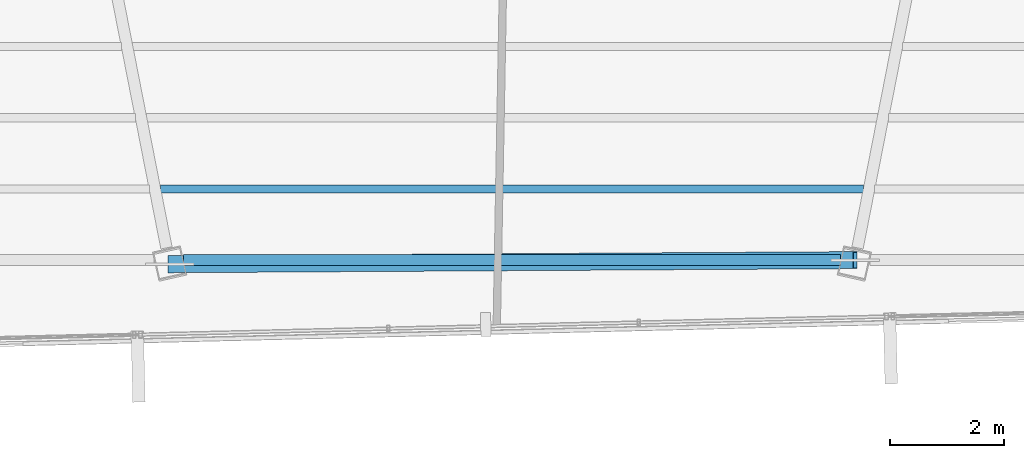
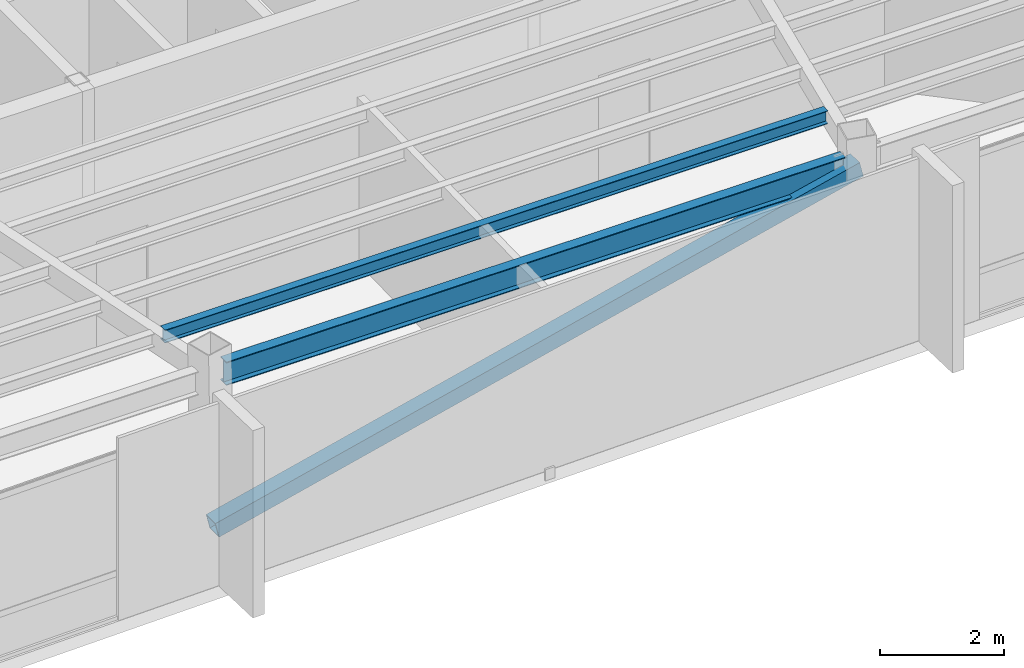
# One storey, part 14 of 44: 2 beams, 1 member.
"""IFC4 building model written with IfcOpenShell, lengths in metres."""

from ifc_helpers import new_model, si_unit, direction, frame, origin, origin_2d, place, context, subcontext, project, spatial, hollow_rectangle, i_section, extrude, source, transform, mapped, material, material_profile, profile_set, type_object, type_shapes, element, save


model = new_model("IFC4")

# Units and contexts
model_context = context("Model", 3, precision=1e-05, world=origin(), true_north=direction((0.0, 1.0)))
body_context = subcontext(model_context, "Body", "Model", "MODEL_VIEW")
ifc_project = project(units=[si_unit("LENGTHUNIT", "METRE"), si_unit("AREAUNIT", "SQUARE_METRE"), si_unit("VOLUMEUNIT", "CUBIC_METRE"), si_unit("PLANEANGLEUNIT", "RADIAN"), si_unit("MASSUNIT", "GRAM", prefix="KILO")], contexts=[model_context])

# Site, building, storey
site_placement = place(None, origin())
site = spatial("IfcSite", under=ifc_project, at=site_placement, CompositionType="ELEMENT")
building_placement = place(site_placement, origin())
building = spatial("IfcBuilding", under=site, at=building_placement, Name="Caelisora Broadcast Tower", CompositionType="ELEMENT")
storey_placement = place(building_placement, frame((0.0, 0.0, 280.949951171875)))
storey = spatial("IfcBuildingStorey", under=building, at=storey_placement, Name="L74", CompositionType="ELEMENT", Elevation=280.949951171875)

# Beams
ifc_material_1 = material(Name="Steel Grade 350 (AS/NZS 3679.1)", Category="steel")
ifc_material_profile_1 = material_profile(ifc_material_1, i_section(OverallWidth=0.19091796875, OverallDepth=0.46044921875, WebThickness=0.010009765625, FlangeThickness=0.01611328125, at=origin_2d()), Name="Steel Grade 350 (AS/NZS 3679.1)")
ifc_profile_set_1 = profile_set([ifc_material_profile_1], Name="Steel Grade 350 (AS/NZS 3679.1)")
beam_type_1 = type_object("IfcBeamType", Name="PG06", PredefinedType="BEAM", material=ifc_profile_set_1)
shared_shape_1 = source(origin(), body_context, "Body", "SweptSolid", [
    extrude(i_section(OverallWidth=0.19091796875, OverallDepth=0.46044921875, WebThickness=0.010009765625, FlangeThickness=0.01611328125, at=origin_2d()), origin(), (0.0, 0.0, 1.0), 11.54248046875),
])
type_shapes(beam_type_1, [shared_shape_1])
beam_1_placement = place(storey_placement, frame((32.228759765625, 9.890380859375, 3.019775390625), z_axis=(1.0, 0.0, 0.0), x_axis=(0.0, 1.0, 0.0)))
element("IfcBeam", 1, at=beam_1_placement, inside=storey, type_object=beam_type_1, Name="L74 beam PG06", PredefinedType="BEAM", context=body_context, shape_type="MappedRepresentation", body=[
    mapped(shared_shape_1, transform((0.0, 0.0, 0.0), scale=1.0)),
])
ifc_material_profile_2 = material_profile(ifc_material_1, i_section(OverallWidth=0.14599609375, OverallDepth=0.256103515625, WebThickness=0.00634765625, FlangeThickness=0.010986328125, at=origin_2d()), Name="Steel Grade 350 (AS/NZS 3679.1)")
ifc_profile_set_2 = profile_set([ifc_material_profile_2], Name="Steel Grade 350 (AS/NZS 3679.1)")
beam_type_2 = type_object("IfcBeamType", Name="SB04", PredefinedType="JOIST", material=ifc_profile_set_2)
shared_shape_2 = source(origin(), body_context, "Body", "SweptSolid", [
    extrude(i_section(OverallWidth=0.14599609375, OverallDepth=0.256103515625, WebThickness=0.00634765625, FlangeThickness=0.010986328125, at=origin_2d()), origin(), (0.0, 0.0, 1.0), 12.35400390625),
])
type_shapes(beam_type_2, [shared_shape_2])
beam_2_placement = place(storey_placement, frame((31.822998046875, 11.14208984375, 3.1220703125), z_axis=(1.0, 0.0, 0.0), x_axis=(0.0, 1.0, 0.0)))
element("IfcBeam", 2, at=beam_2_placement, inside=storey, type_object=beam_type_2, Name="L74 beam SB04", PredefinedType="JOIST", context=body_context, shape_type="MappedRepresentation", body=[
    mapped(shared_shape_2, transform((0.0, 0.0, 0.0), scale=1.0)),
])

# Member
ifc_material_2 = material(Name="Steel Grade 450 (AS/NZS 1163 C450L0)", Category="steel")
ifc_material_profile_3 = material_profile(ifc_material_2, hollow_rectangle(XDim=0.300048828125, YDim=0.300048828125, WallThickness=0.012451171875, at=origin_2d()), Name="Steel Grade 450 (AS/NZS 1163 C450L0)")
ifc_profile_set_3 = profile_set([ifc_material_profile_3], Name="Steel Grade 450 (AS/NZS 1163 C450L0)")
member_type = type_object("IfcMemberType", Name="BR06", PredefinedType="BRACE", material=ifc_profile_set_3)
shared_shape_3 = source(origin(), body_context, "Body", "SweptSolid", [
    extrude(hollow_rectangle(XDim=0.300048828125, YDim=0.300048828125, WallThickness=0.012451171875, at=origin_2d()), origin(), (0.0, 0.0, 1.0), 12.37890625),
])
type_shapes(member_type, [shared_shape_3])
member_placement = place(storey_placement, frame((31.985107421875, 9.818115234375, 0.10009765625), z_axis=(0.973121290757, 0.005837820516, 0.230219185404), x_axis=(-0.005998959766, 0.999982006079, 0.0)))
element("IfcMember", 3, at=member_placement, inside=storey, type_object=member_type, Name="L74 perimeter brace BR06", PredefinedType="BRACE", context=body_context, shape_type="MappedRepresentation", body=[
    mapped(shared_shape_3, transform((0.0, 0.0, 0.0), scale=1.0)),
])

save(model, "model.ifc")
